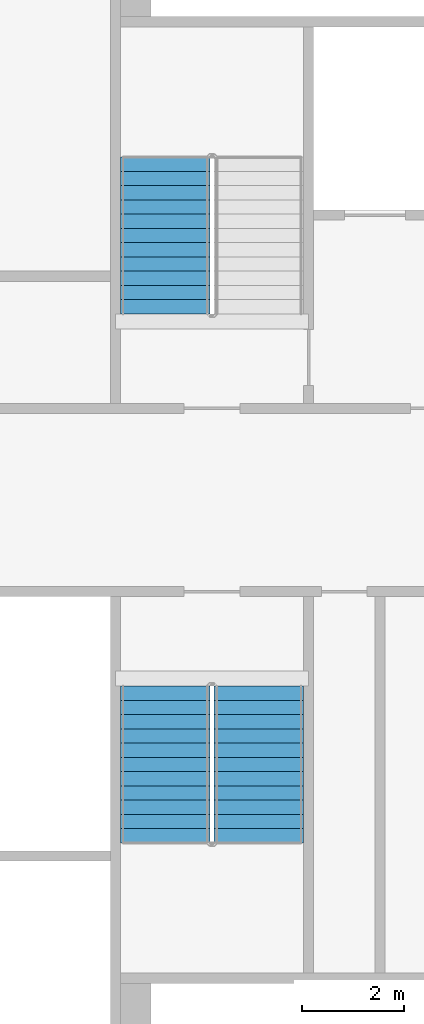
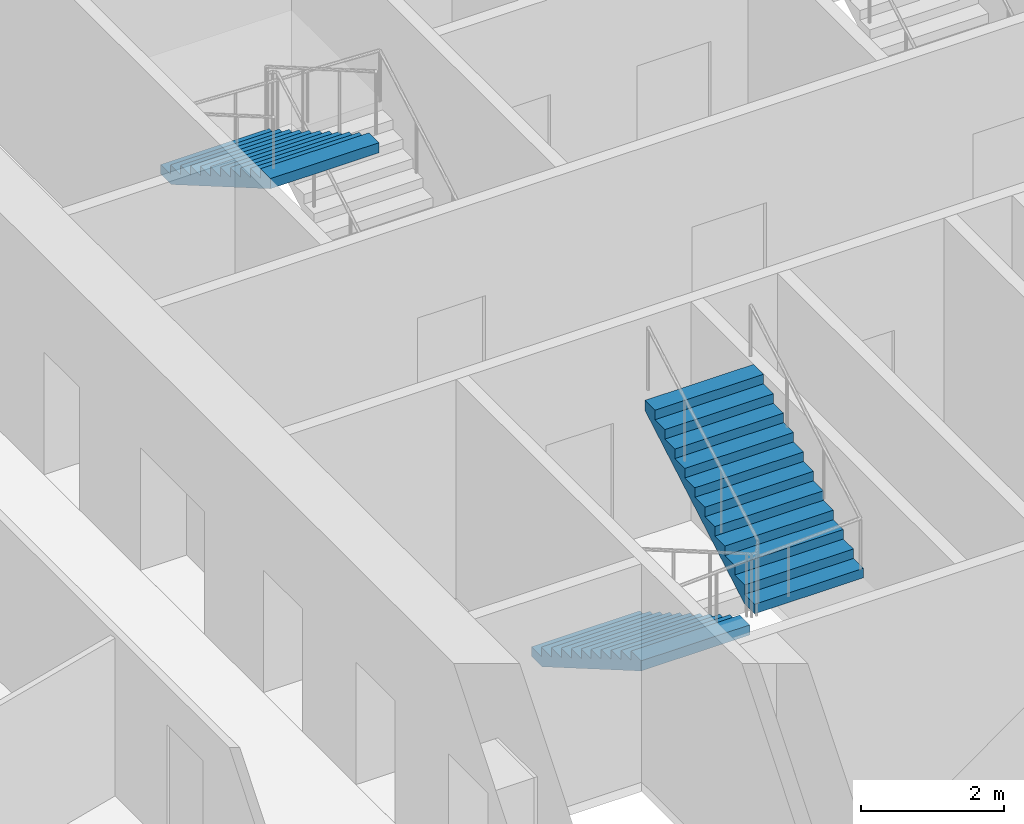
# One storey, part 15 of 23: 3 stair flights, 2 elements without a shape of their own.
"""IFC4 building model written with IfcOpenShell, lengths in metres."""

from ifc_helpers import new_model, si_unit, direction, frame, origin, place, context, subcontext, project, spatial, faceted_brep, material, type_object, element, aggregate, save


model = new_model("IFC4")

# Units and contexts
model_context = context("Model", 3, precision=1e-05, world=origin(), true_north=direction((0.0, 1.0)))
body_context = subcontext(model_context, "Body", "Model", "MODEL_VIEW")
ifc_project = project(units=[si_unit("LENGTHUNIT", "METRE"), si_unit("AREAUNIT", "SQUARE_METRE"), si_unit("VOLUMEUNIT", "CUBIC_METRE"), si_unit("PLANEANGLEUNIT", "RADIAN"), si_unit("MASSUNIT", "GRAM", prefix="KILO")], contexts=[model_context])

# Site, building, storey
site_placement = place(None, origin())
site = spatial("IfcSite", under=ifc_project, at=site_placement, CompositionType="ELEMENT")
building_placement = place(site_placement, origin())
building = spatial("IfcBuilding", under=site, at=building_placement, Name="Tarsis Ring Headquarters", CompositionType="ELEMENT")
storey_placement = place(building_placement, frame((0.0, 0.0, 124.0)))
storey = spatial("IfcBuildingStorey", under=building, at=storey_placement, Name="L28", CompositionType="ELEMENT", Elevation=124.0)

# Stair, stair flight
ifc_material_1 = material(Name="Core stair 1760")
stair_type = type_object("IfcStairType", Name="Core stair 1760", PredefinedType="HALF_TURN_STAIR", material=ifc_material_1)
stair_1_placement = place(storey_placement, origin())
stair_1 = element("IfcStair", 1, at=stair_1_placement, inside=storey, type_object=stair_type, Name="L28 Firefighting stair", PredefinedType="HALF_TURN_STAIR")
ifc_material_2 = material(Name="Concrete C40/50", Category="concrete")
stair_flight_type = type_object("IfcStairFlightType", Name="Core stair flight 1760", PredefinedType="STRAIGHT", material=ifc_material_2)
stair_flight_1_placement = place(storey_placement, frame((-5.419921875, 6.739990234375, 1.949951171875), z_axis=(0.0, 0.0, 1.0), x_axis=(0.0, -1.0, 0.0)))
stair_flight_1 = element("IfcStairFlight", 2, at=stair_flight_1_placement, type_object=stair_flight_type, Name="Stair ST1 flight 2", NumberOfRisers=12, NumberOfTreads=11, PredefinedType="STRAIGHT", RiserHeight=0.1625, TreadLength=0.28, context=body_context, shape_type="Brep", body=[
    faceted_brep([(0.0, 0.8798828125, 0.0), (0.0, 0.8798828125, 0.16259765625), (0.280029296875, 0.8798828125, 0.16259765625), (0.280029296875, 0.8798828125, 0.324951171875), (0.56005859375, 0.8798828125, 0.324951171875), (0.56005859375, 0.8798828125, 0.487548828125), (0.840087890625, 0.8798828125, 0.487548828125), (0.840087890625, 0.8798828125, 0.64990234375), (1.1201171875, 0.8798828125, 0.64990234375), (1.1201171875, 0.8798828125, 0.8125), (1.39990234375, 0.8798828125, 0.8125), (1.39990234375, 0.8798828125, 0.97509765625), (1.679931640625, 0.8798828125, 0.97509765625), (1.679931640625, 0.8798828125, 1.137451171875), (1.9599609375, 0.8798828125, 1.137451171875), (1.9599609375, 0.8798828125, 1.300048828125), (2.239990234375, 0.8798828125, 1.300048828125), (2.239990234375, 0.8798828125, 1.46240234375), (2.52001953125, 0.8798828125, 1.46240234375), (2.52001953125, 0.8798828125, 1.625), (2.800048828125, 0.8798828125, 1.625), (2.800048828125, 0.8798828125, 1.78759765625), (3.080078125, 0.8798828125, 1.78759765625), (3.080078125, 0.8798828125, 1.6142578125), (0.298583984375, 0.8798828125, 0.0), (0.298583984375, -0.8798828125, 0.0), (3.080078125, -0.8798828125, 1.6142578125), (3.080078125, -0.8798828125, 1.78759765625), (2.800048828125, -0.8798828125, 1.78759765625), (2.800048828125, -0.8798828125, 1.625), (2.52001953125, -0.8798828125, 1.625), (2.52001953125, -0.8798828125, 1.46240234375), (2.239990234375, -0.8798828125, 1.46240234375), (2.239990234375, -0.8798828125, 1.300048828125), (1.9599609375, -0.8798828125, 1.300048828125), (1.9599609375, -0.8798828125, 1.137451171875), (1.679931640625, -0.8798828125, 1.137451171875), (1.679931640625, -0.8798828125, 0.97509765625), (1.39990234375, -0.8798828125, 0.97509765625), (1.39990234375, -0.8798828125, 0.8125), (1.1201171875, -0.8798828125, 0.8125), (1.1201171875, -0.8798828125, 0.64990234375), (0.840087890625, -0.8798828125, 0.64990234375), (0.840087890625, -0.8798828125, 0.487548828125), (0.56005859375, -0.8798828125, 0.487548828125), (0.56005859375, -0.8798828125, 0.324951171875), (0.280029296875, -0.8798828125, 0.324951171875), (0.280029296875, -0.8798828125, 0.16259765625), (0.0, -0.8798828125, 0.16259765625), (0.0, -0.8798828125, 0.0), (0.0, -0.43994140625, 0.16259765625), (0.0, -0.43994140625, 0.0), (0.0, 0.0, 0.16259765625), (0.0, 0.0, 0.0), (0.0, 0.43994140625, 0.16259765625), (0.0, 0.43994140625, 0.0), (0.280029296875, -0.43994140625, 0.16259765625), (0.280029296875, 0.0, 0.16259765625), (0.280029296875, 0.43994140625, 0.16259765625), (0.280029296875, -0.43994140625, 0.324951171875), (0.280029296875, 0.0, 0.324951171875), (0.280029296875, 0.43994140625, 0.324951171875), (0.56005859375, -0.43994140625, 0.324951171875), (0.56005859375, 0.0, 0.324951171875), (0.56005859375, 0.43994140625, 0.324951171875), (0.56005859375, -0.43994140625, 0.487548828125), (0.56005859375, 0.0, 0.487548828125), (0.56005859375, 0.43994140625, 0.487548828125), (0.840087890625, -0.43994140625, 0.487548828125), (0.840087890625, 0.0, 0.487548828125), (0.840087890625, 0.43994140625, 0.487548828125), (0.840087890625, -0.43994140625, 0.64990234375), (0.840087890625, 0.0, 0.64990234375), (0.840087890625, 0.43994140625, 0.64990234375), (1.1201171875, -0.43994140625, 0.64990234375), (1.1201171875, 0.0, 0.64990234375), (1.1201171875, 0.43994140625, 0.64990234375), (1.1201171875, -0.43994140625, 0.8125), (1.1201171875, 0.0, 0.8125), (1.1201171875, 0.43994140625, 0.8125), (1.39990234375, -0.43994140625, 0.8125), (1.39990234375, 0.0, 0.8125), (1.39990234375, 0.43994140625, 0.8125), (1.39990234375, -0.43994140625, 0.97509765625), (1.39990234375, 0.0, 0.97509765625), (1.39990234375, 0.43994140625, 0.97509765625), (1.679931640625, -0.43994140625, 0.97509765625), (1.679931640625, 0.0, 0.97509765625), (1.679931640625, 0.43994140625, 0.97509765625), (1.679931640625, -0.43994140625, 1.137451171875), (1.679931640625, 0.0, 1.137451171875), (1.679931640625, 0.43994140625, 1.137451171875), (1.9599609375, -0.43994140625, 1.137451171875), (1.9599609375, 0.0, 1.137451171875), (1.9599609375, 0.43994140625, 1.137451171875), (1.9599609375, -0.43994140625, 1.300048828125), (1.9599609375, 0.0, 1.300048828125), (1.9599609375, 0.43994140625, 1.300048828125), (2.239990234375, -0.43994140625, 1.300048828125), (2.239990234375, 0.0, 1.300048828125), (2.239990234375, 0.43994140625, 1.300048828125), (2.239990234375, -0.43994140625, 1.46240234375), (2.239990234375, 0.0, 1.46240234375), (2.239990234375, 0.43994140625, 1.46240234375), (2.52001953125, -0.43994140625, 1.46240234375), (2.52001953125, 0.0, 1.46240234375), (2.52001953125, 0.43994140625, 1.46240234375), (2.52001953125, -0.43994140625, 1.625), (2.52001953125, 0.0, 1.625), (2.52001953125, 0.43994140625, 1.625), (2.800048828125, -0.43994140625, 1.625), (2.800048828125, 0.0, 1.625), (2.800048828125, 0.43994140625, 1.625), (2.800048828125, -0.43994140625, 1.78759765625), (2.800048828125, 0.0, 1.78759765625), (2.800048828125, 0.43994140625, 1.78759765625), (3.080078125, -0.43994140625, 1.78759765625), (3.080078125, 0.0, 1.78759765625), (3.080078125, 0.43994140625, 1.78759765625), (3.080078125, -0.43994140625, 1.6142578125), (3.080078125, 0.0, 1.6142578125), (3.080078125, 0.43994140625, 1.6142578125), (0.298583984375, -0.43994140625, 0.0), (0.298583984375, 0.0, 0.0), (0.298583984375, 0.43994140625, 0.0)], [[[0, 1, 2, 3, 4, 5, 6, 7, 8, 9, 10, 11, 12, 13, 14, 15, 16, 17, 18, 19, 20, 21, 22, 23, 24]], [[25, 26, 27, 28, 29, 30, 31, 32, 33, 34, 35, 36, 37, 38, 39, 40, 41, 42, 43, 44, 45, 46, 47, 48, 49]], [[49, 48, 50, 51]], [[51, 50, 52, 53]], [[53, 52, 54, 55]], [[55, 54, 1, 0]], [[48, 47, 56, 50]], [[50, 56, 57, 52]], [[52, 57, 58, 54]], [[54, 58, 2, 1]], [[47, 46, 59, 56]], [[56, 59, 60, 57]], [[57, 60, 61, 58]], [[58, 61, 3, 2]], [[46, 45, 62, 59]], [[59, 62, 63, 60]], [[60, 63, 64, 61]], [[61, 64, 4, 3]], [[45, 44, 65, 62]], [[62, 65, 66, 63]], [[63, 66, 67, 64]], [[64, 67, 5, 4]], [[44, 43, 68, 65]], [[65, 68, 69, 66]], [[66, 69, 70, 67]], [[67, 70, 6, 5]], [[43, 42, 71, 68]], [[68, 71, 72, 69]], [[69, 72, 73, 70]], [[70, 73, 7, 6]], [[42, 41, 74, 71]], [[71, 74, 75, 72]], [[72, 75, 76, 73]], [[73, 76, 8, 7]], [[41, 40, 77, 74]], [[74, 77, 78, 75]], [[75, 78, 79, 76]], [[76, 79, 9, 8]], [[40, 39, 80, 77]], [[77, 80, 81, 78]], [[78, 81, 82, 79]], [[79, 82, 10, 9]], [[39, 38, 83, 80]], [[80, 83, 84, 81]], [[81, 84, 85, 82]], [[82, 85, 11, 10]], [[38, 37, 86, 83]], [[83, 86, 87, 84]], [[84, 87, 88, 85]], [[85, 88, 12, 11]], [[37, 36, 89, 86]], [[86, 89, 90, 87]], [[87, 90, 91, 88]], [[88, 91, 13, 12]], [[36, 35, 92, 89]], [[89, 92, 93, 90]], [[90, 93, 94, 91]], [[91, 94, 14, 13]], [[35, 34, 95, 92]], [[92, 95, 96, 93]], [[93, 96, 97, 94]], [[94, 97, 15, 14]], [[34, 33, 98, 95]], [[95, 98, 99, 96]], [[96, 99, 100, 97]], [[97, 100, 16, 15]], [[33, 32, 101, 98]], [[98, 101, 102, 99]], [[99, 102, 103, 100]], [[100, 103, 17, 16]], [[32, 31, 104, 101]], [[101, 104, 105, 102]], [[102, 105, 106, 103]], [[103, 106, 18, 17]], [[31, 30, 107, 104]], [[104, 107, 108, 105]], [[105, 108, 109, 106]], [[106, 109, 19, 18]], [[30, 29, 110, 107]], [[107, 110, 111, 108]], [[108, 111, 112, 109]], [[109, 112, 20, 19]], [[29, 28, 113, 110]], [[110, 113, 114, 111]], [[111, 114, 115, 112]], [[112, 115, 21, 20]], [[28, 27, 116, 113]], [[113, 116, 117, 114]], [[114, 117, 118, 115]], [[115, 118, 22, 21]], [[27, 26, 119, 116]], [[116, 119, 120, 117]], [[117, 120, 121, 118]], [[118, 121, 23, 22]], [[26, 25, 122, 119]], [[119, 122, 123, 120]], [[120, 123, 124, 121]], [[121, 124, 24, 23]], [[25, 49, 51, 122]], [[122, 51, 53, 123]], [[123, 53, 55, 124]], [[124, 55, 0, 24]]]),
])
aggregate(stair_1, [stair_flight_1])

# Stair, stair flights
stair_2_placement = place(storey_placement, origin())
stair_2 = element("IfcStair", 3, at=stair_2_placement, inside=storey, type_object=stair_type, Name="L28 Exit stair C", PredefinedType="HALF_TURN_STAIR")
stair_flight_2_placement = place(storey_placement, frame((-5.419921875, -3.659912109375, 0.0), z_axis=(0.0, 0.0, 1.0), x_axis=(0.0, -1.0, 0.0)))
stair_flight_2 = element("IfcStairFlight", 4, at=stair_flight_2_placement, type_object=stair_flight_type, Name="Stair ST3 flight 1", NumberOfRisers=12, NumberOfTreads=11, PredefinedType="STRAIGHT", RiserHeight=0.1625, TreadLength=0.28, context=body_context, shape_type="Brep", body=[
    faceted_brep([(0.0, 0.8798828125, 0.0), (0.0, 0.8798828125, 0.16259765625), (0.280029296875, 0.8798828125, 0.16259765625), (0.280029296875, 0.8798828125, 0.324951171875), (0.56005859375, 0.8798828125, 0.324951171875), (0.56005859375, 0.8798828125, 0.487548828125), (0.840087890625, 0.8798828125, 0.487548828125), (0.840087890625, 0.8798828125, 0.64990234375), (1.1201171875, 0.8798828125, 0.64990234375), (1.1201171875, 0.8798828125, 0.8125), (1.39990234375, 0.8798828125, 0.8125), (1.39990234375, 0.8798828125, 0.97509765625), (1.679931640625, 0.8798828125, 0.97509765625), (1.679931640625, 0.8798828125, 1.137451171875), (1.9599609375, 0.8798828125, 1.137451171875), (1.9599609375, 0.8798828125, 1.300048828125), (2.239990234375, 0.8798828125, 1.300048828125), (2.239990234375, 0.8798828125, 1.46240234375), (2.52001953125, 0.8798828125, 1.46240234375), (2.52001953125, 0.8798828125, 1.625), (2.800048828125, 0.8798828125, 1.625), (2.800048828125, 0.8798828125, 1.78759765625), (3.080078125, 0.8798828125, 1.78759765625), (3.080078125, 0.8798828125, 1.6142578125), (0.298583984375, 0.8798828125, 0.0), (0.298583984375, -0.8798828125, 0.0), (3.080078125, -0.8798828125, 1.6142578125), (3.080078125, -0.8798828125, 1.78759765625), (2.800048828125, -0.8798828125, 1.78759765625), (2.800048828125, -0.8798828125, 1.625), (2.52001953125, -0.8798828125, 1.625), (2.52001953125, -0.8798828125, 1.46240234375), (2.239990234375, -0.8798828125, 1.46240234375), (2.239990234375, -0.8798828125, 1.300048828125), (1.9599609375, -0.8798828125, 1.300048828125), (1.9599609375, -0.8798828125, 1.137451171875), (1.679931640625, -0.8798828125, 1.137451171875), (1.679931640625, -0.8798828125, 0.97509765625), (1.39990234375, -0.8798828125, 0.97509765625), (1.39990234375, -0.8798828125, 0.8125), (1.1201171875, -0.8798828125, 0.8125), (1.1201171875, -0.8798828125, 0.64990234375), (0.840087890625, -0.8798828125, 0.64990234375), (0.840087890625, -0.8798828125, 0.487548828125), (0.56005859375, -0.8798828125, 0.487548828125), (0.56005859375, -0.8798828125, 0.324951171875), (0.280029296875, -0.8798828125, 0.324951171875), (0.280029296875, -0.8798828125, 0.16259765625), (0.0, -0.8798828125, 0.16259765625), (0.0, -0.8798828125, 0.0), (0.0, -0.43994140625, 0.16259765625), (0.0, -0.43994140625, 0.0), (0.0, 0.0, 0.16259765625), (0.0, 0.0, 0.0), (0.0, 0.43994140625, 0.16259765625), (0.0, 0.43994140625, 0.0), (0.280029296875, -0.43994140625, 0.16259765625), (0.280029296875, 0.0, 0.16259765625), (0.280029296875, 0.43994140625, 0.16259765625), (0.280029296875, -0.43994140625, 0.324951171875), (0.280029296875, 0.0, 0.324951171875), (0.280029296875, 0.43994140625, 0.324951171875), (0.56005859375, -0.43994140625, 0.324951171875), (0.56005859375, 0.0, 0.324951171875), (0.56005859375, 0.43994140625, 0.324951171875), (0.56005859375, -0.43994140625, 0.487548828125), (0.56005859375, 0.0, 0.487548828125), (0.56005859375, 0.43994140625, 0.487548828125), (0.840087890625, -0.43994140625, 0.487548828125), (0.840087890625, 0.0, 0.487548828125), (0.840087890625, 0.43994140625, 0.487548828125), (0.840087890625, -0.43994140625, 0.64990234375), (0.840087890625, 0.0, 0.64990234375), (0.840087890625, 0.43994140625, 0.64990234375), (1.1201171875, -0.43994140625, 0.64990234375), (1.1201171875, 0.0, 0.64990234375), (1.1201171875, 0.43994140625, 0.64990234375), (1.1201171875, -0.43994140625, 0.8125), (1.1201171875, 0.0, 0.8125), (1.1201171875, 0.43994140625, 0.8125), (1.39990234375, -0.43994140625, 0.8125), (1.39990234375, 0.0, 0.8125), (1.39990234375, 0.43994140625, 0.8125), (1.39990234375, -0.43994140625, 0.97509765625), (1.39990234375, 0.0, 0.97509765625), (1.39990234375, 0.43994140625, 0.97509765625), (1.679931640625, -0.43994140625, 0.97509765625), (1.679931640625, 0.0, 0.97509765625), (1.679931640625, 0.43994140625, 0.97509765625), (1.679931640625, -0.43994140625, 1.137451171875), (1.679931640625, 0.0, 1.137451171875), (1.679931640625, 0.43994140625, 1.137451171875), (1.9599609375, -0.43994140625, 1.137451171875), (1.9599609375, 0.0, 1.137451171875), (1.9599609375, 0.43994140625, 1.137451171875), (1.9599609375, -0.43994140625, 1.300048828125), (1.9599609375, 0.0, 1.300048828125), (1.9599609375, 0.43994140625, 1.300048828125), (2.239990234375, -0.43994140625, 1.300048828125), (2.239990234375, 0.0, 1.300048828125), (2.239990234375, 0.43994140625, 1.300048828125), (2.239990234375, -0.43994140625, 1.46240234375), (2.239990234375, 0.0, 1.46240234375), (2.239990234375, 0.43994140625, 1.46240234375), (2.52001953125, -0.43994140625, 1.46240234375), (2.52001953125, 0.0, 1.46240234375), (2.52001953125, 0.43994140625, 1.46240234375), (2.52001953125, -0.43994140625, 1.625), (2.52001953125, 0.0, 1.625), (2.52001953125, 0.43994140625, 1.625), (2.800048828125, -0.43994140625, 1.625), (2.800048828125, 0.0, 1.625), (2.800048828125, 0.43994140625, 1.625), (2.800048828125, -0.43994140625, 1.78759765625), (2.800048828125, 0.0, 1.78759765625), (2.800048828125, 0.43994140625, 1.78759765625), (3.080078125, -0.43994140625, 1.78759765625), (3.080078125, 0.0, 1.78759765625), (3.080078125, 0.43994140625, 1.78759765625), (3.080078125, -0.43994140625, 1.6142578125), (3.080078125, 0.0, 1.6142578125), (3.080078125, 0.43994140625, 1.6142578125), (0.298583984375, -0.43994140625, 0.0), (0.298583984375, 0.0, 0.0), (0.298583984375, 0.43994140625, 0.0)], [[[0, 1, 2, 3, 4, 5, 6, 7, 8, 9, 10, 11, 12, 13, 14, 15, 16, 17, 18, 19, 20, 21, 22, 23, 24]], [[25, 26, 27, 28, 29, 30, 31, 32, 33, 34, 35, 36, 37, 38, 39, 40, 41, 42, 43, 44, 45, 46, 47, 48, 49]], [[49, 48, 50, 51]], [[51, 50, 52, 53]], [[53, 52, 54, 55]], [[55, 54, 1, 0]], [[48, 47, 56, 50]], [[50, 56, 57, 52]], [[52, 57, 58, 54]], [[54, 58, 2, 1]], [[47, 46, 59, 56]], [[56, 59, 60, 57]], [[57, 60, 61, 58]], [[58, 61, 3, 2]], [[46, 45, 62, 59]], [[59, 62, 63, 60]], [[60, 63, 64, 61]], [[61, 64, 4, 3]], [[45, 44, 65, 62]], [[62, 65, 66, 63]], [[63, 66, 67, 64]], [[64, 67, 5, 4]], [[44, 43, 68, 65]], [[65, 68, 69, 66]], [[66, 69, 70, 67]], [[67, 70, 6, 5]], [[43, 42, 71, 68]], [[68, 71, 72, 69]], [[69, 72, 73, 70]], [[70, 73, 7, 6]], [[42, 41, 74, 71]], [[71, 74, 75, 72]], [[72, 75, 76, 73]], [[73, 76, 8, 7]], [[41, 40, 77, 74]], [[74, 77, 78, 75]], [[75, 78, 79, 76]], [[76, 79, 9, 8]], [[40, 39, 80, 77]], [[77, 80, 81, 78]], [[78, 81, 82, 79]], [[79, 82, 10, 9]], [[39, 38, 83, 80]], [[80, 83, 84, 81]], [[81, 84, 85, 82]], [[82, 85, 11, 10]], [[38, 37, 86, 83]], [[83, 86, 87, 84]], [[84, 87, 88, 85]], [[85, 88, 12, 11]], [[37, 36, 89, 86]], [[86, 89, 90, 87]], [[87, 90, 91, 88]], [[88, 91, 13, 12]], [[36, 35, 92, 89]], [[89, 92, 93, 90]], [[90, 93, 94, 91]], [[91, 94, 14, 13]], [[35, 34, 95, 92]], [[92, 95, 96, 93]], [[93, 96, 97, 94]], [[94, 97, 15, 14]], [[34, 33, 98, 95]], [[95, 98, 99, 96]], [[96, 99, 100, 97]], [[97, 100, 16, 15]], [[33, 32, 101, 98]], [[98, 101, 102, 99]], [[99, 102, 103, 100]], [[100, 103, 17, 16]], [[32, 31, 104, 101]], [[101, 104, 105, 102]], [[102, 105, 106, 103]], [[103, 106, 18, 17]], [[31, 30, 107, 104]], [[104, 107, 108, 105]], [[105, 108, 109, 106]], [[106, 109, 19, 18]], [[30, 29, 110, 107]], [[107, 110, 111, 108]], [[108, 111, 112, 109]], [[109, 112, 20, 19]], [[29, 28, 113, 110]], [[110, 113, 114, 111]], [[111, 114, 115, 112]], [[112, 115, 21, 20]], [[28, 27, 116, 113]], [[113, 116, 117, 114]], [[114, 117, 118, 115]], [[115, 118, 22, 21]], [[27, 26, 119, 116]], [[116, 119, 120, 117]], [[117, 120, 121, 118]], [[118, 121, 23, 22]], [[26, 25, 122, 119]], [[119, 122, 123, 120]], [[120, 123, 124, 121]], [[121, 124, 24, 23]], [[25, 49, 51, 122]], [[122, 51, 53, 123]], [[123, 53, 55, 124]], [[124, 55, 0, 24]]]),
])
stair_flight_3_placement = place(storey_placement, frame((-3.580078125, -6.739990234375, 1.949951171875), z_axis=(0.0, 0.0, 1.0), x_axis=(0.0, 1.0, 0.0)))
stair_flight_3 = element("IfcStairFlight", 5, at=stair_flight_3_placement, type_object=stair_flight_type, Name="Stair ST3 flight 2", NumberOfRisers=12, NumberOfTreads=11, PredefinedType="STRAIGHT", RiserHeight=0.1625, TreadLength=0.28, context=body_context, shape_type="Brep", body=[
    faceted_brep([(0.0, 0.8798828125, 0.0), (0.0, 0.8798828125, 0.16259765625), (0.280029296875, 0.8798828125, 0.16259765625), (0.280029296875, 0.8798828125, 0.324951171875), (0.56005859375, 0.8798828125, 0.324951171875), (0.56005859375, 0.8798828125, 0.487548828125), (0.840087890625, 0.8798828125, 0.487548828125), (0.840087890625, 0.8798828125, 0.64990234375), (1.1201171875, 0.8798828125, 0.64990234375), (1.1201171875, 0.8798828125, 0.8125), (1.39990234375, 0.8798828125, 0.8125), (1.39990234375, 0.8798828125, 0.97509765625), (1.679931640625, 0.8798828125, 0.97509765625), (1.679931640625, 0.8798828125, 1.137451171875), (1.9599609375, 0.8798828125, 1.137451171875), (1.9599609375, 0.8798828125, 1.300048828125), (2.239990234375, 0.8798828125, 1.300048828125), (2.239990234375, 0.8798828125, 1.46240234375), (2.52001953125, 0.8798828125, 1.46240234375), (2.52001953125, 0.8798828125, 1.625), (2.800048828125, 0.8798828125, 1.625), (2.800048828125, 0.8798828125, 1.78759765625), (3.080078125, 0.8798828125, 1.78759765625), (3.080078125, 0.8798828125, 1.6142578125), (0.298583984375, 0.8798828125, 0.0), (0.298583984375, -0.8798828125, 0.0), (3.080078125, -0.8798828125, 1.6142578125), (3.080078125, -0.8798828125, 1.78759765625), (2.800048828125, -0.8798828125, 1.78759765625), (2.800048828125, -0.8798828125, 1.625), (2.52001953125, -0.8798828125, 1.625), (2.52001953125, -0.8798828125, 1.46240234375), (2.239990234375, -0.8798828125, 1.46240234375), (2.239990234375, -0.8798828125, 1.300048828125), (1.9599609375, -0.8798828125, 1.300048828125), (1.9599609375, -0.8798828125, 1.137451171875), (1.679931640625, -0.8798828125, 1.137451171875), (1.679931640625, -0.8798828125, 0.97509765625), (1.39990234375, -0.8798828125, 0.97509765625), (1.39990234375, -0.8798828125, 0.8125), (1.1201171875, -0.8798828125, 0.8125), (1.1201171875, -0.8798828125, 0.64990234375), (0.840087890625, -0.8798828125, 0.64990234375), (0.840087890625, -0.8798828125, 0.487548828125), (0.56005859375, -0.8798828125, 0.487548828125), (0.56005859375, -0.8798828125, 0.324951171875), (0.280029296875, -0.8798828125, 0.324951171875), (0.280029296875, -0.8798828125, 0.16259765625), (0.0, -0.8798828125, 0.16259765625), (0.0, -0.8798828125, 0.0), (0.0, -0.43994140625, 0.16259765625), (0.0, -0.43994140625, 0.0), (0.0, 0.0, 0.16259765625), (0.0, 0.0, 0.0), (0.0, 0.43994140625, 0.16259765625), (0.0, 0.43994140625, 0.0), (0.280029296875, -0.43994140625, 0.16259765625), (0.280029296875, 0.0, 0.16259765625), (0.280029296875, 0.43994140625, 0.16259765625), (0.280029296875, -0.43994140625, 0.324951171875), (0.280029296875, 0.0, 0.324951171875), (0.280029296875, 0.43994140625, 0.324951171875), (0.56005859375, -0.43994140625, 0.324951171875), (0.56005859375, 0.0, 0.324951171875), (0.56005859375, 0.43994140625, 0.324951171875), (0.56005859375, -0.43994140625, 0.487548828125), (0.56005859375, 0.0, 0.487548828125), (0.56005859375, 0.43994140625, 0.487548828125), (0.840087890625, -0.43994140625, 0.487548828125), (0.840087890625, 0.0, 0.487548828125), (0.840087890625, 0.43994140625, 0.487548828125), (0.840087890625, -0.43994140625, 0.64990234375), (0.840087890625, 0.0, 0.64990234375), (0.840087890625, 0.43994140625, 0.64990234375), (1.1201171875, -0.43994140625, 0.64990234375), (1.1201171875, 0.0, 0.64990234375), (1.1201171875, 0.43994140625, 0.64990234375), (1.1201171875, -0.43994140625, 0.8125), (1.1201171875, 0.0, 0.8125), (1.1201171875, 0.43994140625, 0.8125), (1.39990234375, -0.43994140625, 0.8125), (1.39990234375, 0.0, 0.8125), (1.39990234375, 0.43994140625, 0.8125), (1.39990234375, -0.43994140625, 0.97509765625), (1.39990234375, 0.0, 0.97509765625), (1.39990234375, 0.43994140625, 0.97509765625), (1.679931640625, -0.43994140625, 0.97509765625), (1.679931640625, 0.0, 0.97509765625), (1.679931640625, 0.43994140625, 0.97509765625), (1.679931640625, -0.43994140625, 1.137451171875), (1.679931640625, 0.0, 1.137451171875), (1.679931640625, 0.43994140625, 1.137451171875), (1.9599609375, -0.43994140625, 1.137451171875), (1.9599609375, 0.0, 1.137451171875), (1.9599609375, 0.43994140625, 1.137451171875), (1.9599609375, -0.43994140625, 1.300048828125), (1.9599609375, 0.0, 1.300048828125), (1.9599609375, 0.43994140625, 1.300048828125), (2.239990234375, -0.43994140625, 1.300048828125), (2.239990234375, 0.0, 1.300048828125), (2.239990234375, 0.43994140625, 1.300048828125), (2.239990234375, -0.43994140625, 1.46240234375), (2.239990234375, 0.0, 1.46240234375), (2.239990234375, 0.43994140625, 1.46240234375), (2.52001953125, -0.43994140625, 1.46240234375), (2.52001953125, 0.0, 1.46240234375), (2.52001953125, 0.43994140625, 1.46240234375), (2.52001953125, -0.43994140625, 1.625), (2.52001953125, 0.0, 1.625), (2.52001953125, 0.43994140625, 1.625), (2.800048828125, -0.43994140625, 1.625), (2.800048828125, 0.0, 1.625), (2.800048828125, 0.43994140625, 1.625), (2.800048828125, -0.43994140625, 1.78759765625), (2.800048828125, 0.0, 1.78759765625), (2.800048828125, 0.43994140625, 1.78759765625), (3.080078125, -0.43994140625, 1.78759765625), (3.080078125, 0.0, 1.78759765625), (3.080078125, 0.43994140625, 1.78759765625), (3.080078125, -0.43994140625, 1.6142578125), (3.080078125, 0.0, 1.6142578125), (3.080078125, 0.43994140625, 1.6142578125), (0.298583984375, -0.43994140625, 0.0), (0.298583984375, 0.0, 0.0), (0.298583984375, 0.43994140625, 0.0)], [[[0, 1, 2, 3, 4, 5, 6, 7, 8, 9, 10, 11, 12, 13, 14, 15, 16, 17, 18, 19, 20, 21, 22, 23, 24]], [[25, 26, 27, 28, 29, 30, 31, 32, 33, 34, 35, 36, 37, 38, 39, 40, 41, 42, 43, 44, 45, 46, 47, 48, 49]], [[49, 48, 50, 51]], [[51, 50, 52, 53]], [[53, 52, 54, 55]], [[55, 54, 1, 0]], [[48, 47, 56, 50]], [[50, 56, 57, 52]], [[52, 57, 58, 54]], [[54, 58, 2, 1]], [[47, 46, 59, 56]], [[56, 59, 60, 57]], [[57, 60, 61, 58]], [[58, 61, 3, 2]], [[46, 45, 62, 59]], [[59, 62, 63, 60]], [[60, 63, 64, 61]], [[61, 64, 4, 3]], [[45, 44, 65, 62]], [[62, 65, 66, 63]], [[63, 66, 67, 64]], [[64, 67, 5, 4]], [[44, 43, 68, 65]], [[65, 68, 69, 66]], [[66, 69, 70, 67]], [[67, 70, 6, 5]], [[43, 42, 71, 68]], [[68, 71, 72, 69]], [[69, 72, 73, 70]], [[70, 73, 7, 6]], [[42, 41, 74, 71]], [[71, 74, 75, 72]], [[72, 75, 76, 73]], [[73, 76, 8, 7]], [[41, 40, 77, 74]], [[74, 77, 78, 75]], [[75, 78, 79, 76]], [[76, 79, 9, 8]], [[40, 39, 80, 77]], [[77, 80, 81, 78]], [[78, 81, 82, 79]], [[79, 82, 10, 9]], [[39, 38, 83, 80]], [[80, 83, 84, 81]], [[81, 84, 85, 82]], [[82, 85, 11, 10]], [[38, 37, 86, 83]], [[83, 86, 87, 84]], [[84, 87, 88, 85]], [[85, 88, 12, 11]], [[37, 36, 89, 86]], [[86, 89, 90, 87]], [[87, 90, 91, 88]], [[88, 91, 13, 12]], [[36, 35, 92, 89]], [[89, 92, 93, 90]], [[90, 93, 94, 91]], [[91, 94, 14, 13]], [[35, 34, 95, 92]], [[92, 95, 96, 93]], [[93, 96, 97, 94]], [[94, 97, 15, 14]], [[34, 33, 98, 95]], [[95, 98, 99, 96]], [[96, 99, 100, 97]], [[97, 100, 16, 15]], [[33, 32, 101, 98]], [[98, 101, 102, 99]], [[99, 102, 103, 100]], [[100, 103, 17, 16]], [[32, 31, 104, 101]], [[101, 104, 105, 102]], [[102, 105, 106, 103]], [[103, 106, 18, 17]], [[31, 30, 107, 104]], [[104, 107, 108, 105]], [[105, 108, 109, 106]], [[106, 109, 19, 18]], [[30, 29, 110, 107]], [[107, 110, 111, 108]], [[108, 111, 112, 109]], [[109, 112, 20, 19]], [[29, 28, 113, 110]], [[110, 113, 114, 111]], [[111, 114, 115, 112]], [[112, 115, 21, 20]], [[28, 27, 116, 113]], [[113, 116, 117, 114]], [[114, 117, 118, 115]], [[115, 118, 22, 21]], [[27, 26, 119, 116]], [[116, 119, 120, 117]], [[117, 120, 121, 118]], [[118, 121, 23, 22]], [[26, 25, 122, 119]], [[119, 122, 123, 120]], [[120, 123, 124, 121]], [[121, 124, 24, 23]], [[25, 49, 51, 122]], [[122, 51, 53, 123]], [[123, 53, 55, 124]], [[124, 55, 0, 24]]]),
])
aggregate(stair_2, [stair_flight_2, stair_flight_3])

save(model, "model.ifc")
